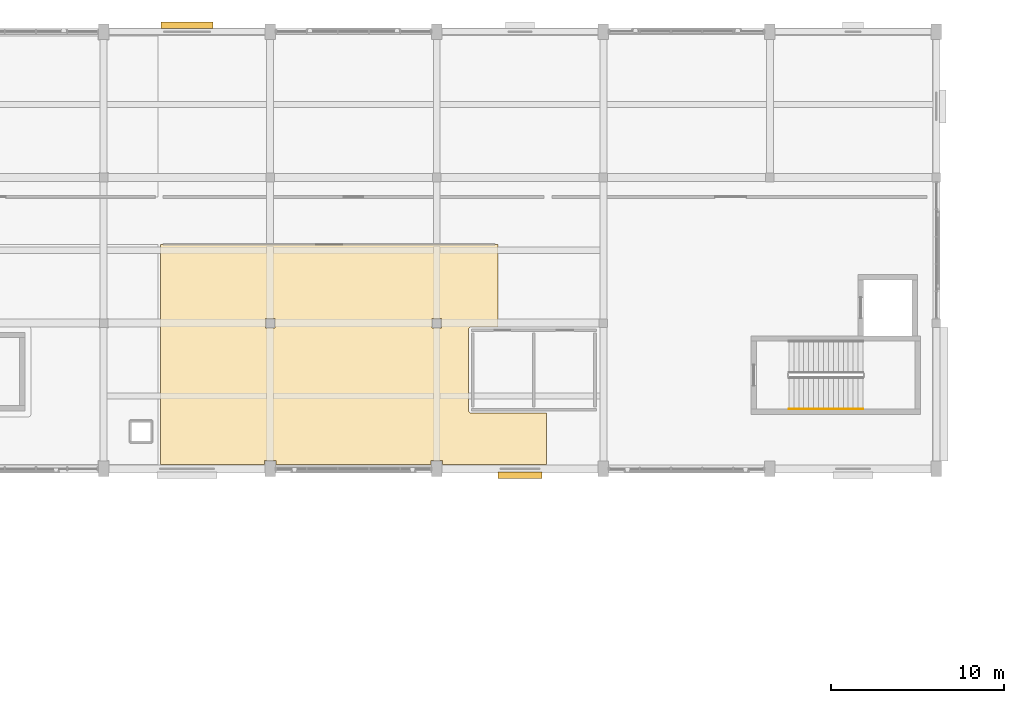
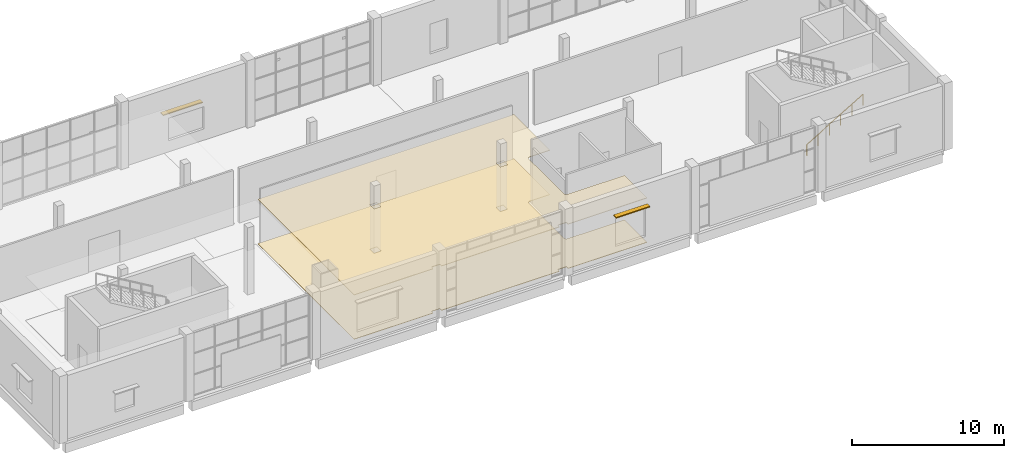
# One storey, part 65 of 72: 2 coverings, 2 shading devices, 1 railing.
"""IFC4 building model written with IfcOpenShell, lengths in metres."""

import ifcopenshell
import ifcopenshell.guid

model = None  # the IFC model being written
_history = None  # IfcOwnerHistory: only IFC2X3 demands one
_inside = {}  # id of a spatial element -> (the spatial element, [elements in it])
_under = {}  # id of a project, library or spatial element -> (it, [spatial elements below it])
_declared = {}  # id of a project -> (the project, [libraries it declares])
_typed = {}  # id of a type object -> (the type object, [elements of that type])
_made_of = {}  # id of a material, layer set ... -> (it, [elements and type objects made of it])


def new_model(schema):
    """Start an empty IFC model of exactly this schema.

    Asked for "IFC4X3", IfcOpenShell would pick the latest addendum, in which some entities
    have other attributes; the version numbers below select the first issue.
    IFC2X3 requires an IfcOwnerHistory on every rooted entity: one is made here for all.
    """
    global model, _history
    if schema == "IFC4X3":
        model = ifcopenshell.file(schema_version=(4, 3, 0, 0))
    else:
        model = ifcopenshell.file(schema=schema)
    _inside.clear()
    _under.clear()
    _declared.clear()
    _typed.clear()
    _made_of.clear()
    _history = None
    if model.schema == "IFC2X3":
        org = make("IfcOrganization", Name="unknown")
        user = make(
            "IfcPersonAndOrganization",
            ThePerson=make("IfcPerson", FamilyName="unknown"),
            TheOrganization=org,
        )
        app = make(
            "IfcApplication",
            ApplicationDeveloper=org,
            Version="unknown",
            ApplicationFullName="unknown",
            ApplicationIdentifier="unknown",
        )
        _history = make(
            "IfcOwnerHistory",
            OwningUser=user,
            OwningApplication=app,
            ChangeAction="ADDED",
            CreationDate=0,
        )
    return model


def make(cls, **values):
    """One entity of the class cls with the attributes given. An attribute that is None is left unset."""
    return model.create_entity(
        cls, **{name: value for name, value in values.items() if value is not None}
    )


def rooted(cls, **values):
    """An entity with a GlobalId (a new one), such as an element, a storey or a relation."""
    return make(cls, GlobalId=ifcopenshell.guid.new(), OwnerHistory=_history, **values)


def si_unit(unit_type, name, prefix=None):
    """IfcSIUnit, for example si_unit("LENGTHUNIT", "METRE", prefix="MILLI")."""
    return make("IfcSIUnit", UnitType=unit_type, Prefix=prefix, Name=name)


def assignment(units):
    """IfcUnitAssignment: the units of a project."""
    return None if units is None else make("IfcUnitAssignment", Units=units)


def point(xyz):
    """IfcCartesianPoint."""
    return None if xyz is None else make("IfcCartesianPoint", Coordinates=xyz)


def direction(xyz):
    """IfcDirection."""
    return None if xyz is None else make("IfcDirection", DirectionRatios=xyz)


def frame(location, z_axis=None, x_axis=None):
    """IfcAxis2Placement3D, a coordinate frame: its origin and axes. An axis left out is left unset."""
    return make(
        "IfcAxis2Placement3D",
        Location=point(location),
        Axis=direction(z_axis),
        RefDirection=direction(x_axis),
    )


def frame_2d(location, x_axis=None):
    """IfcAxis2Placement2D, a coordinate frame in the plane: its origin and x axis."""
    return make(
        "IfcAxis2Placement2D", Location=point(location), RefDirection=direction(x_axis)
    )


def origin():
    """The frame at (0, 0, 0) with its axes left unset."""
    return frame((0.0, 0.0, 0.0))


def origin_2d():
    """The frame at (0, 0) in the plane with its x axis left unset."""
    return frame_2d((0.0, 0.0))


def place(relative_to, where):
    """IfcLocalPlacement: puts the frame where relative to a parent placement (None: the world)."""
    return make(
        "IfcLocalPlacement", PlacementRelTo=relative_to, RelativePlacement=where
    )


def context(
    kind, dimensions, precision=None, world=None, true_north=None, identifier=None
):
    """IfcGeometricRepresentationContext, for example the 3D "Model" context."""
    return make(
        "IfcGeometricRepresentationContext",
        ContextIdentifier=identifier,
        ContextType=kind,
        CoordinateSpaceDimension=dimensions,
        Precision=precision,
        WorldCoordinateSystem=world,
        TrueNorth=true_north,
    )


def subcontext(parent, identifier, kind, view, scale=None):
    """IfcGeometricRepresentationSubContext, for example "Body" below "Model"."""
    return make(
        "IfcGeometricRepresentationSubContext",
        ContextIdentifier=identifier,
        ContextType=kind,
        ParentContext=parent,
        TargetScale=scale,
        TargetView=view,
    )


def project(units=None, contexts=None):
    """IfcProject with its units and contexts."""
    return rooted(
        "IfcProject",
        Name="project",
        RepresentationContexts=contexts,
        UnitsInContext=assignment(units),
    )


def spatial(cls, under=None, at=None, **own):
    """A site, building, storey or space (cls), placed at a placement, below another one or the project."""
    s = rooted(cls, ObjectPlacement=at, **own)
    if under is not None:
        _under.setdefault(under.id(), (under, []))[1].append(s)
    return s


def polyline(points):
    """IfcPolyline through the points."""
    return make("IfcPolyline", Points=[point(p) for p in points])


def profile(cls, at=None, kind="AREA", **sizes):
    """A parametric profile (cls). Its sizes go by their IFC names, for example OverallWidth=200.0."""
    return make(cls, ProfileType=kind, Position=at, **sizes)


def rectangle(**sizes):
    """IfcRectangleProfileDef."""
    return profile("IfcRectangleProfileDef", **sizes)


def circle(**sizes):
    """IfcCircleProfileDef."""
    return profile("IfcCircleProfileDef", **sizes)


def outline(outer, holes=None, kind="AREA"):
    """IfcArbitraryClosedProfileDef: a profile drawn as a closed curve; with holes, ...WithVoids."""
    if holes is None:
        return make("IfcArbitraryClosedProfileDef", ProfileType=kind, OuterCurve=outer)
    return make(
        "IfcArbitraryProfileDefWithVoids",
        ProfileType=kind,
        OuterCurve=outer,
        InnerCurves=holes,
    )


def extrude(swept, where, along, depth):
    """IfcExtrudedAreaSolid: the profile swept, set in the frame where, extruded along a direction by depth."""
    return make(
        "IfcExtrudedAreaSolid",
        SweptArea=swept,
        Position=where,
        ExtrudedDirection=direction(along),
        Depth=depth,
    )


def shape(context_of_items, identifier, shape_type, items):
    """IfcShapeRepresentation: the items that make up one representation, for example the "Body"."""
    return make(
        "IfcShapeRepresentation",
        ContextOfItems=context_of_items,
        RepresentationIdentifier=identifier,
        RepresentationType=shape_type,
        Items=items,
    )


def material(Name=None, Category=None):
    """IfcMaterial."""
    return make("IfcMaterial", Name=Name, Category=Category)


def layer(
    of_material, thickness, ventilated=None, Name=None, Category=None, Priority=None
):
    """IfcMaterialLayer: one layer of a wall or slab, of a material (None: an air gap)."""
    return make(
        "IfcMaterialLayer",
        Material=of_material,
        LayerThickness=thickness,
        IsVentilated=ventilated,
        Name=Name,
        Category=Category,
        Priority=Priority,
    )


def layer_set(layers, Name=None):
    """IfcMaterialLayerSet."""
    return make("IfcMaterialLayerSet", MaterialLayers=layers, LayerSetName=Name)


def made_of(thing, what):
    """Note that an element or type object is made of a material, layer set ...; save() writes the relation."""
    if what is not None:
        _made_of.setdefault(what.id(), (what, []))[1].append(thing)
    return thing


def type_object(cls, material=None, **own):
    """A type object (cls), such as IfcWallType, which elements share."""
    return made_of(rooted(cls, **own), material)


def element(
    cls,
    number,
    at=None,
    inside=None,
    cuts=None,
    type_object=None,
    material=None,
    context=None,
    identifier="Body",
    shape_type=None,
    held_by="IfcProductDefinitionShape",
    body=None,
    shapes=None,
    **own,
):
    """One element of the class cls, such as IfcWall. Its Tag is "e" and its number.

    at: its placement. inside: the storey or other place that contains it. cuts: it is an
    opening in that element (IfcRelVoidsElement). A single representation is given by context,
    identifier, shape_type and body (its items); several are given by shapes. held_by: the class
    of the entity that holds the representations. save() writes the other relations.
    """
    e = rooted(cls, Tag="e%d" % number, ObjectPlacement=at, **own)
    if body is not None:
        shapes = [shape(context, identifier, shape_type, body)]
    if shapes is not None:
        e.Representation = make(held_by, Representations=shapes)
    if inside is not None:
        _inside.setdefault(inside.id(), (inside, []))[1].append(e)
    if cuts is not None:
        rooted(
            "IfcRelVoidsElement", RelatingBuildingElement=cuts, RelatedOpeningElement=e
        )
    if type_object is not None:
        _typed.setdefault(type_object.id(), (type_object, []))[1].append(e)
    return made_of(e, material)


def aggregate(whole, parts):
    """IfcRelAggregates: a whole, such as a stair, and the parts it consists of."""
    return rooted("IfcRelAggregates", RelatingObject=whole, RelatedObjects=parts)


def save(model, path):
    """Write the relations noted so far, then the file.

    IfcRelAggregates (storeys below a building ...), IfcRelContainedInSpatialStructure (elements
    in a storey), IfcRelDefinesByType, IfcRelAssociatesMaterial and IfcRelDeclares: one each for
    every whole, place, type object, material and project.
    """
    for whole, parts in _under.values():
        aggregate(whole, parts)
    for where, things in _inside.values():
        rooted(
            "IfcRelContainedInSpatialStructure",
            RelatedElements=things,
            RelatingStructure=where,
        )
    for kind, things in _typed.values():
        rooted("IfcRelDefinesByType", RelatedObjects=things, RelatingType=kind)
    for what, things in _made_of.values():
        rooted("IfcRelAssociatesMaterial", RelatedObjects=things, RelatingMaterial=what)
    for by, libraries in _declared.values():
        rooted("IfcRelDeclares", RelatingContext=by, RelatedDefinitions=libraries)
    model.write(path)


model = new_model("IFC4")

# Units and contexts
model_context = context("Model", 3, precision=1e-05, world=origin(), true_north=direction((0.0, 1.0)))
body_context = subcontext(model_context, "Body", "Model", "MODEL_VIEW")
ifc_project = project(units=[si_unit("LENGTHUNIT", "METRE"), si_unit("AREAUNIT", "SQUARE_METRE"), si_unit("VOLUMEUNIT", "CUBIC_METRE"), si_unit("PLANEANGLEUNIT", "RADIAN"), si_unit("MASSUNIT", "GRAM", prefix="KILO")], contexts=[model_context])

# Site, building, storey
site_placement = place(None, origin())
site = spatial("IfcSite", under=ifc_project, at=site_placement, CompositionType="ELEMENT")
building_placement = place(site_placement, origin())
building = spatial("IfcBuilding", under=site, at=building_placement, Name="Shalvenor Court Art Gallery", CompositionType="ELEMENT")
storey_placement = place(building_placement, frame((0.0, 0.0, 11.39990234375)))
storey = spatial("IfcBuildingStorey", under=building, at=storey_placement, Name="L02", CompositionType="ELEMENT", Elevation=11.39990234375)

# Coverings
ifc_material_1 = material(Name="Perforated acoustic gypsum gallery ceiling", Category="other")
ifc_layer_1 = layer(ifc_material_1, 0.044921875, Name="Perforated acoustic gypsum gallery ceiling")
ifc_layer_set_1 = layer_set([ifc_layer_1], Name="Perforated acoustic gypsum gallery ceiling")
covering_type_1 = type_object("IfcCoveringType", Name="CLG-01", PredefinedType="CEILING", material=ifc_layer_set_1)
covering_1_placement = place(storey_placement, frame((0.0, 0.0, 3.550048828125)))
element("IfcCovering", 1, at=covering_1_placement, inside=storey, type_object=covering_type_1, Name="L02 Photography Exhibition Gallery Acoustic Ceiling", PredefinedType="CEILING", context=body_context, shape_type="SweptSolid", body=[
    extrude(outline(polyline([(80.080078125, 110.1201171875), (99.52001953125, 110.1201171875), (99.52001953125, 105.3798828125), (98.0, 105.3798828125), (97.982421875, 105.379150390625), (97.96484375, 105.37646484375), (97.94775390625, 105.372314453125), (97.93115234375, 105.3662109375), (97.9150390625, 105.358642578125), (97.89990234375, 105.349609375), (97.8857421875, 105.339111328125), (97.872802734375, 105.327392578125), (97.86083984375, 105.314208984375), (97.850341796875, 105.300048828125), (97.84130859375, 105.284912109375), (97.833740234375, 105.268798828125), (97.827880859375, 105.252197265625), (97.823486328125, 105.235107421875), (97.82080078125, 105.217529296875), (97.820068359375, 105.199951171875), (97.820068359375, 100.60009765625), (97.82080078125, 100.58251953125), (97.823486328125, 100.56494140625), (97.827880859375, 100.547607421875), (97.833740234375, 100.531005859375), (97.84130859375, 100.51513671875), (97.850341796875, 100.5), (97.86083984375, 100.48583984375), (97.872802734375, 100.47265625), (97.8857421875, 100.4609375), (97.89990234375, 100.4501953125), (97.9150390625, 100.44140625), (97.93115234375, 100.43359375), (97.94775390625, 100.427734375), (97.96484375, 100.423583984375), (97.982421875, 100.4208984375), (98.0, 100.419921875), (102.320068359375, 100.419921875), (102.320068359375, 97.449951171875), (96.320068359375, 97.449951171875), (96.320068359375, 97.669921875), (95.679931640625, 97.669921875), (95.679931640625, 97.449951171875), (86.719970703125, 97.449951171875), (86.719970703125, 97.669921875), (86.080078125, 97.669921875), (86.080078125, 97.449951171875), (80.080078125, 97.449951171875), (80.080078125, 110.1201171875)]), holes=[polyline([(95.72998046875, 105.8701171875), (95.72998046875, 105.330078125), (96.27001953125, 105.330078125), (96.27001953125, 105.8701171875), (95.72998046875, 105.8701171875)]), polyline([(86.1298828125, 105.8701171875), (86.1298828125, 105.330078125), (86.669921875, 105.330078125), (86.669921875, 105.8701171875), (86.1298828125, 105.8701171875)])]), origin(), (0.0, 0.0, 1.0), 0.045166015625),
])
ifc_material_2 = material(Name="Quarter-sawn white oak gallery flooring", Category="wood")
ifc_layer_2 = layer(ifc_material_2, 0.031982421875, Name="Quarter-sawn white oak gallery flooring")
ifc_layer_set_2 = layer_set([ifc_layer_2], Name="Quarter-sawn white oak gallery flooring")
covering_type_2 = type_object("IfcCoveringType", Name="FLR-02", PredefinedType="FLOORING", material=ifc_layer_set_2)
covering_2_placement = place(storey_placement, origin())
element("IfcCovering", 2, at=covering_2_placement, inside=storey, type_object=covering_type_2, Name="L02 Photography Exhibition Gallery Flooring", PredefinedType="FLOORING", context=body_context, shape_type="SweptSolid", body=[
    extrude(outline(polyline([(80.080078125, 110.1201171875), (99.52001953125, 110.1201171875), (99.52001953125, 105.3798828125), (98.0, 105.3798828125), (97.982421875, 105.379150390625), (97.96484375, 105.37646484375), (97.94775390625, 105.372314453125), (97.93115234375, 105.3662109375), (97.9150390625, 105.358642578125), (97.89990234375, 105.349609375), (97.8857421875, 105.339111328125), (97.872802734375, 105.327392578125), (97.86083984375, 105.314208984375), (97.850341796875, 105.300048828125), (97.84130859375, 105.284912109375), (97.833740234375, 105.268798828125), (97.827880859375, 105.252197265625), (97.823486328125, 105.235107421875), (97.82080078125, 105.217529296875), (97.820068359375, 105.199951171875), (97.820068359375, 100.60009765625), (97.82080078125, 100.58251953125), (97.823486328125, 100.56494140625), (97.827880859375, 100.547607421875), (97.833740234375, 100.531005859375), (97.84130859375, 100.51513671875), (97.850341796875, 100.5), (97.86083984375, 100.48583984375), (97.872802734375, 100.47265625), (97.8857421875, 100.4609375), (97.89990234375, 100.4501953125), (97.9150390625, 100.44140625), (97.93115234375, 100.43359375), (97.94775390625, 100.427734375), (97.96484375, 100.423583984375), (97.982421875, 100.4208984375), (98.0, 100.419921875), (102.320068359375, 100.419921875), (102.320068359375, 97.449951171875), (96.320068359375, 97.449951171875), (96.320068359375, 97.669921875), (95.679931640625, 97.669921875), (95.679931640625, 97.449951171875), (86.719970703125, 97.449951171875), (86.719970703125, 97.669921875), (86.080078125, 97.669921875), (86.080078125, 97.449951171875), (80.080078125, 97.449951171875), (80.080078125, 110.1201171875)]), holes=[polyline([(95.72998046875, 105.8701171875), (95.72998046875, 105.330078125), (96.27001953125, 105.330078125), (96.27001953125, 105.8701171875), (95.72998046875, 105.8701171875)]), polyline([(86.1298828125, 105.8701171875), (86.1298828125, 105.330078125), (86.669921875, 105.330078125), (86.669921875, 105.8701171875), (86.1298828125, 105.8701171875)])]), origin(), (0.0, 0.0, 1.0), 0.031982421875),
])

# Railing
ifc_material_3 = material(Name="Brushed stainless steel handrail", Category="steel")
railing_type = type_object("IfcRailingType", Name="HR-01", PredefinedType="HANDRAIL", material=ifc_material_3)
railing_placement = place(storey_placement, frame((116.300048828125, 100.64990234375, 0.1689453125)))
element("IfcRailing", 3, at=railing_placement, inside=storey, type_object=railing_type, Name="L02 ST-05 Stair Handrail 1", PredefinedType="HANDRAIL", context=body_context, shape_type="SweptSolid", body=[
    extrude(circle(Radius=0.02392578125, at=origin_2d()), frame((0.0, 0.0, 0.8759765625), z_axis=(0.860470286479, 0.0, 0.509500624227), x_axis=(0.0, 1.0, 0.0)), (0.0, 0.0, 1.0), 4.968017578125),
    extrude(circle(Radius=0.02099609375, at=origin_2d()), origin(), (0.0, 0.0, 1.0), 0.851806640625),
    extrude(circle(Radius=0.02099609375, at=origin_2d()), frame((0.85498046875, 0.0, 0.50634765625)), (0.0, 0.0, 1.0), 0.851806640625),
    extrude(circle(Radius=0.02099609375, at=origin_2d()), frame((1.7099609375, 0.0, 1.012451171875)), (0.0, 0.0, 1.0), 0.851806640625),
    extrude(circle(Radius=0.02099609375, at=origin_2d()), frame((2.56494140625, 0.0, 1.518798828125)), (0.0, 0.0, 1.0), 0.851806640625),
    extrude(circle(Radius=0.02099609375, at=origin_2d()), frame((3.419921875, 0.0, 2.02490234375)), (0.0, 0.0, 1.0), 0.851806640625),
    extrude(circle(Radius=0.02099609375, at=origin_2d()), frame((4.27490234375, 0.0, 2.53125)), (0.0, 0.0, 1.0), 0.851806640625),
])

# Shading devices
ifc_material_4 = material(Name="Dark anodised bronze aluminium louvre", Category="aluminium")
shading_device_type = type_object("IfcShadingDeviceType", Name="SHD-01", PredefinedType="JALOUSIE", material=ifc_material_4)
shading_device_1_placement = place(storey_placement, frame((81.60009765625, 122.77001953125, 2.699951171875), z_axis=(0.0, 0.0, 1.0), x_axis=(1.0, 0.0, 0.0)))
element("IfcShadingDevice", 4, at=shading_device_1_placement, inside=storey, type_object=shading_device_type, Name="L02 Koushi Window Sunshade 34", PredefinedType="JALOUSIE", context=body_context, shape_type="SweptSolid", body=[
    extrude(rectangle(XDim=3.0, YDim=0.360107421875, at=origin_2d()), origin(), (0.0, 0.0, 1.0), 0.080078125),
])
shading_device_2_placement = place(storey_placement, frame((100.800048828125, 96.830078125, 3.400146484375), z_axis=(0.0, 0.0, 1.0), x_axis=(-1.0, 0.0, 0.0)))
element("IfcShadingDevice", 5, at=shading_device_2_placement, inside=storey, type_object=shading_device_type, Name="L02 Koushi Window Sunshade 39", PredefinedType="JALOUSIE", context=body_context, shape_type="SweptSolid", body=[
    extrude(rectangle(XDim=2.550048828125, YDim=0.360107421875, at=origin_2d()), origin(), (0.0, 0.0, 1.0), 0.080078125),
])

save(model, "model.ifc")
